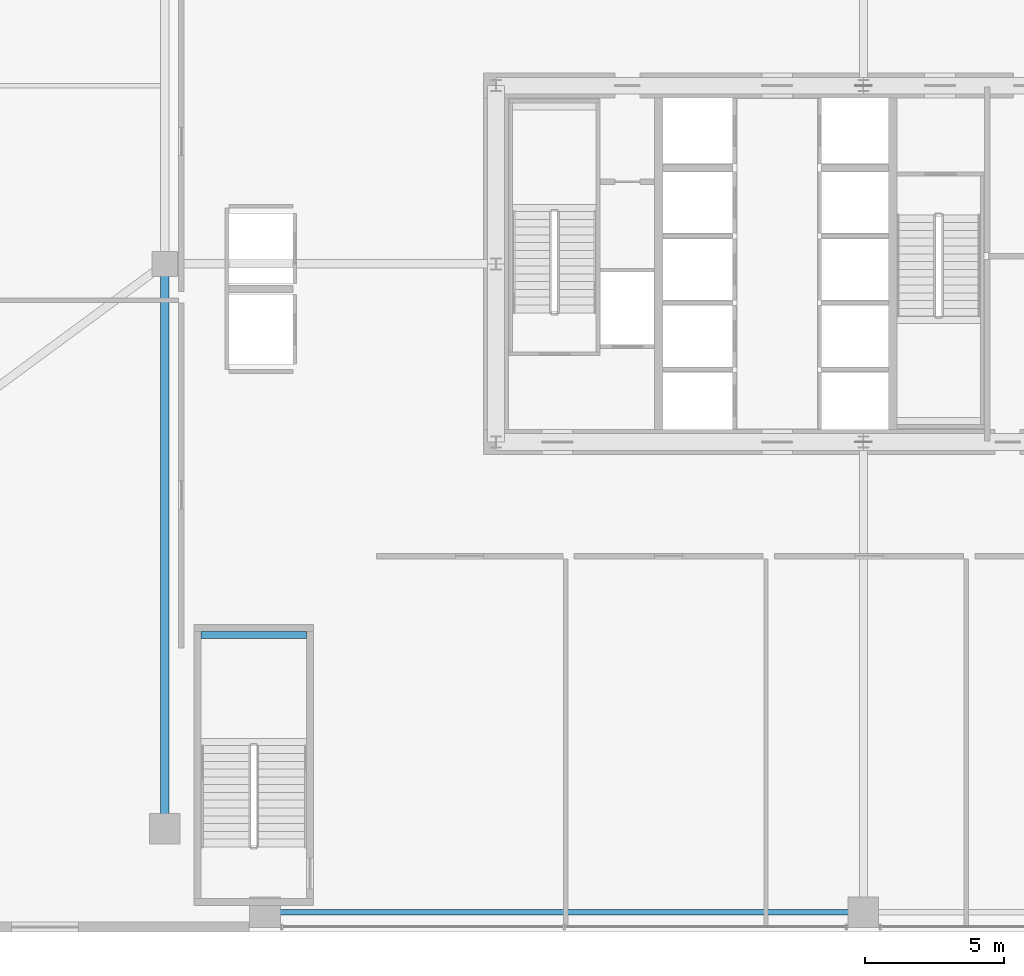
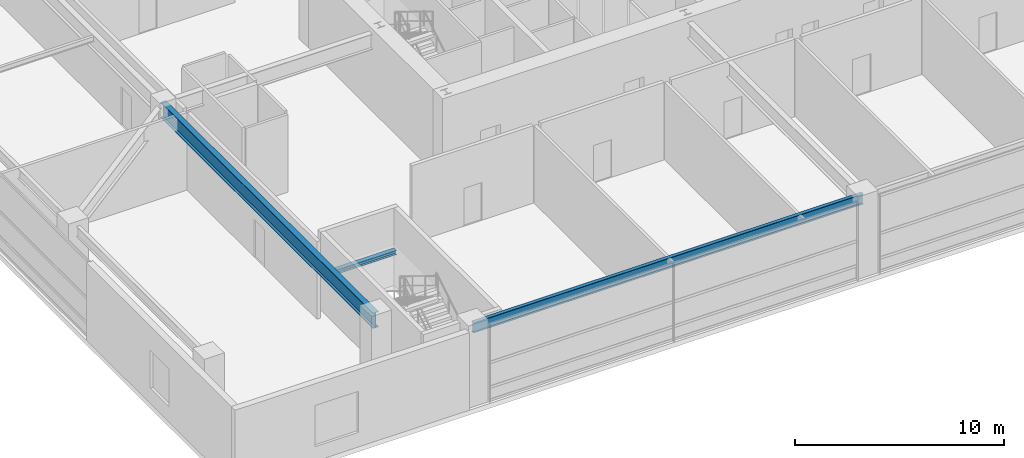
# One storey, part 6 of 39: 3 beams.
"""IFC4 building model written with IfcOpenShell, lengths in metres."""

from ifc_helpers import new_model, si_unit, direction, frame, origin, origin_2d, place, context, subcontext, project, spatial, i_section, extrude, source, transform, mapped, material, material_profile, profile_set, type_object, element, save


model = new_model("IFC4")

# Units and contexts
model_context = context("Model", 3, precision=1e-05, world=origin(), true_north=direction((0.0, 1.0)))
body_context = subcontext(model_context, "Body", "Model", "MODEL_VIEW")
ifc_project = project(units=[si_unit("LENGTHUNIT", "METRE"), si_unit("AREAUNIT", "SQUARE_METRE"), si_unit("VOLUMEUNIT", "CUBIC_METRE"), si_unit("PLANEANGLEUNIT", "RADIAN"), si_unit("MASSUNIT", "GRAM", prefix="KILO"), si_unit("THERMODYNAMICTEMPERATUREUNIT", "KELVIN"), si_unit("POWERUNIT", "WATT")], contexts=[model_context])

# Site, building, storey
site_placement = place(None, origin())
site = spatial("IfcSite", under=ifc_project, at=site_placement, CompositionType="ELEMENT")
building_placement = place(site_placement, origin())
building = spatial("IfcBuilding", under=site, at=building_placement, Name="Yuzanri Waterfront Tower", CompositionType="ELEMENT")
storey_placement = place(building_placement, frame((0.0, 0.0, 15.0)))
storey = spatial("IfcBuildingStorey", under=building, at=storey_placement, Name="L04", CompositionType="ELEMENT", Elevation=15.0)

# Beams
ifc_material_1 = material(Name="Steel Q355B", Category="steel")
ifc_material_profile_1 = material_profile(ifc_material_1, i_section(OverallWidth=0.300048828125, OverallDepth=0.89990234375, WebThickness=0.01611328125, FlangeThickness=0.028076171875, at=origin_2d()), Name="HN 900x300x16x28")
ifc_profile_set_1 = profile_set([ifc_material_profile_1], Name="Steel Q355B")
beam_type_1 = type_object("IfcBeamType", Name="Primary Podium Girder Q355B HN 900x300", PredefinedType="BEAM", material=ifc_profile_set_1)
shared_shape_1 = source(origin(), body_context, "Body", "SweptSolid", [
    extrude(i_section(OverallWidth=0.300048828125, OverallDepth=0.89990234375, WebThickness=0.01611328125, FlangeThickness=0.028076171875, at=origin_2d()), origin(), (0.0, 0.0, 1.0), 20.300048828125),
])
beam_1_placement = place(storey_placement, frame((11.89990234375, 5.5, 4.070068359375), z_axis=(0.0, 1.0, 0.0), x_axis=(-1.0, 0.0, 0.0)))
element("IfcBeam", 1, at=beam_1_placement, inside=storey, type_object=beam_type_1, Name="L04 Podium Spine Girder S", PredefinedType="BEAM", context=body_context, shape_type="MappedRepresentation", body=[
    mapped(shared_shape_1, transform((0.0, 0.0, 0.0), scale=1.0)),
])
ifc_material_2 = material(Name="Steel Q355B", Category="steel")
ifc_material_profile_2 = material_profile(ifc_material_2, i_section(OverallWidth=0.199951171875, OverallDepth=0.60009765625, WebThickness=0.010986328125, FlangeThickness=0.01708984375, at=origin_2d()), Name="HN 600x200x11x17")
ifc_profile_set_2 = profile_set([ifc_material_profile_2], Name="Steel Q355B")
beam_type_2 = type_object("IfcBeamType", Name="Perimeter Spandrel Q355B HN 600x200", PredefinedType="SPANDREL", material=ifc_profile_set_2)
shared_shape_2 = source(origin(), body_context, "Body", "SweptSolid", [
    extrude(i_section(OverallWidth=0.199951171875, OverallDepth=0.60009765625, WebThickness=0.010986328125, FlangeThickness=0.01708984375, at=origin_2d()), origin(), (0.0, 0.0, 1.0), 21.5),
])
beam_2_placement = place(storey_placement, frame((15.5, 2.5, 4.219970703125), z_axis=(1.0, 0.0, 0.0), x_axis=(0.0, 1.0, 0.0)))
element("IfcBeam", 2, at=beam_2_placement, inside=storey, type_object=beam_type_2, Name="L04 South Spandrel 1", PredefinedType="SPANDREL", context=body_context, shape_type="MappedRepresentation", body=[
    mapped(shared_shape_2, transform((0.0, 0.0, 0.0), scale=1.0)),
])
ifc_material_3 = material(Name="Steel Q355B", Category="steel")
ifc_material_profile_3 = material_profile(ifc_material_3, i_section(OverallWidth=0.25, OverallDepth=0.25, WebThickness=0.009033203125, FlangeThickness=0.013916015625, at=origin_2d()), Name="HW 250x250x9x14")
ifc_profile_set_3 = profile_set([ifc_material_profile_3], Name="Steel Q355B")
beam_type_3 = type_object("IfcBeamType", Name="Stair Landing Support Beam Q355B HW 250x250", PredefinedType="BEAM", material=ifc_profile_set_3)
shared_shape_3 = source(origin(), body_context, "Body", "SweptSolid", [
    extrude(i_section(OverallWidth=0.25, OverallDepth=0.25, WebThickness=0.009033203125, FlangeThickness=0.013916015625, at=origin_2d()), origin(), (0.0, 0.0, 1.0), 3.800048828125),
])
beam_3_placement = place(storey_placement, frame((13.199951171875, 12.469970703125, 2.074951171875), z_axis=(1.0, 0.0, 0.0), x_axis=(0.0, 1.0, 0.0)))
element("IfcBeam", 3, at=beam_3_placement, inside=storey, type_object=beam_type_3, Name="L04 Stair Landing Support Beam PST-01-L04-L1-2", PredefinedType="BEAM", context=body_context, shape_type="MappedRepresentation", body=[
    mapped(shared_shape_3, transform((0.0, 0.0, 0.0), scale=1.0)),
])

save(model, "model.ifc")
